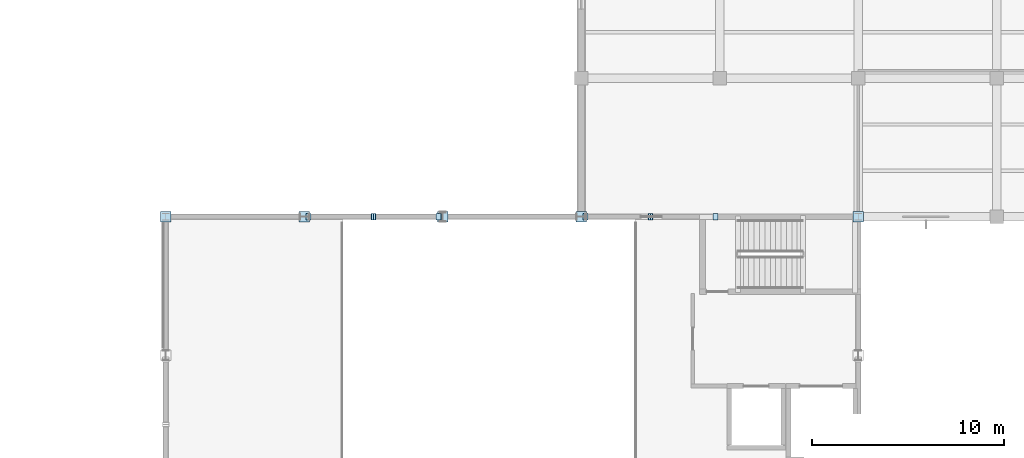
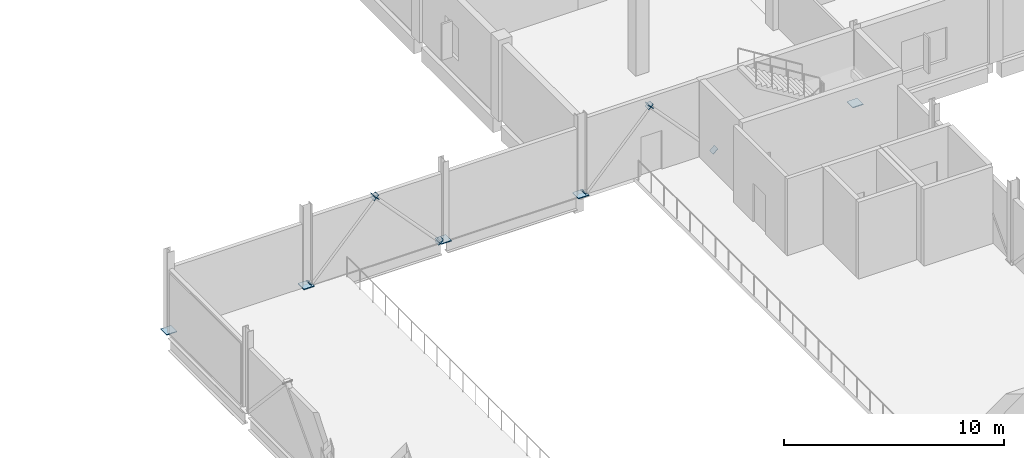
# One storey, part 87 of 108: 13 plates.
"""IFC4 building model written with IfcOpenShell, lengths in metres."""

from ifc_helpers import new_model, si_unit, direction, frame, origin, origin_2d, place, context, subcontext, project, spatial, rectangle, extrude, material, layer, layer_set, type_object, element, save


model = new_model("IFC4")

# Units and contexts
model_context = context("Model", 3, precision=1e-05, world=origin(), true_north=direction((0.0, 1.0)))
body_context = subcontext(model_context, "Body", "Model", "MODEL_VIEW")
ifc_project = project(units=[si_unit("LENGTHUNIT", "METRE"), si_unit("AREAUNIT", "SQUARE_METRE"), si_unit("VOLUMEUNIT", "CUBIC_METRE"), si_unit("PLANEANGLEUNIT", "RADIAN"), si_unit("MASSUNIT", "GRAM", prefix="KILO"), si_unit("THERMODYNAMICTEMPERATUREUNIT", "KELVIN"), si_unit("POWERUNIT", "WATT")], contexts=[model_context])

# Site, building, storey
site_placement = place(None, origin())
site = spatial("IfcSite", under=ifc_project, at=site_placement, CompositionType="ELEMENT")
building_placement = place(site_placement, origin())
building = spatial("IfcBuilding", under=site, at=building_placement, Name="Kaldorven Railside Theatre", CompositionType="ELEMENT")
storey_placement = place(building_placement, frame((0.0, 0.0, 5.39990234375)))
storey = spatial("IfcBuildingStorey", under=building, at=storey_placement, Name="L01", CompositionType="ELEMENT", Elevation=5.39990234375)

# Plates
ifc_material = material(Name="Steel S355", Category="steel")
ifc_layer_1 = layer(ifc_material, 0.044921875, Name="Steel S355")
ifc_layer_set_1 = layer_set([ifc_layer_1], Name="Steel S355")
plate_type_1 = type_object("IfcPlateType", Name="PLT-BAS-45", PredefinedType="SHEET", material=ifc_layer_set_1)
for number, where, z_axis, x_axis, name in (
    (1, (87.199951171875, 112.800048828125, 0.000244140625), (0.0, 0.0, 1.0), (1.0, 0.0, 0.0), "Fly-Tower Stanchion Baseplate BPL-13"),
    (2, (94.39990234375, 112.800048828125, 0.000244140625), (0.0, 0.0, 1.0), (1.0, 0.0, 0.0), "Fly-Tower Stanchion Baseplate BPL-14"),
    (3, (101.60009765625, 112.800048828125, 0.000244140625), (0.0, 0.0, 1.0), (1.0, 0.0, 0.0), "Fly-Tower Stanchion Baseplate BPL-15"),
    (4, (108.800048828125, 112.800048828125, 0.000244140625), (0.0, 0.0, 1.0), (1.0, 0.0, 0.0), "Fly-Tower Stanchion Baseplate BPL-16"),
    (5, (123.199951171875, 112.800048828125, 0.000244140625), (0.0, 0.0, 1.0), (1.0, 0.0, 0.0), "Fly-Tower Stanchion Baseplate BPL-17"),
):
    element("IfcPlate", number, at=place(storey_placement, frame(where, z_axis=z_axis, x_axis=x_axis)), inside=storey, type_object=plate_type_1, Name=name, PredefinedType="SHEET", context=body_context, shape_type="SweptSolid", body=[
        extrude(rectangle(XDim=0.550048828125, YDim=0.550048828125, at=origin_2d()), origin(), (0.0, 0.0, 1.0), 0.044921875),
    ])
ifc_layer_2 = layer(ifc_material, 0.02001953125, Name="Steel S355")
ifc_layer_set_2 = layer_set([ifc_layer_2], Name="Steel S355")
plate_type_2 = type_object("IfcPlateType", Name="PLT-GUS-20", PredefinedType="USERDEFINED", material=ifc_layer_set_2)
for number, where, z_axis, x_axis, name in (
    (6, (94.607666015625, 112.800048828125, 0.02685546875), (0.680465121782, 0.0, 0.732780470562), (0.0, 1.0, 0.0), "End cap gusset plate PL-0017"),
    (7, (97.99853515625, 112.800048828125, 3.6787109375), (0.680465121782, 0.0, 0.732780470562), (0.0, 1.0, 0.0), "End cap gusset plate PL-0018"),
    (8, (101.392333984375, 112.800048828125, 0.02685546875), (-0.680465121782, 0.0, 0.732780470562), (0.0, -1.0, 0.0), "End cap gusset plate PL-0019"),
    (9, (98.00146484375, 112.800048828125, 3.6787109375), (-0.680465121782, 0.0, 0.732780470562), (0.0, -1.0, 0.0), "End cap gusset plate PL-0020"),
    (10, (109.0078125, 112.800048828125, 0.02685546875), (0.680465121782, 0.0, 0.732780470562), (0.0, 1.0, 0.0), "End cap gusset plate PL-0021"),
    (11, (112.398681640625, 112.800048828125, 3.6787109375), (0.680465121782, 0.0, 0.732780470562), (0.0, 1.0, 0.0), "End cap gusset plate PL-0022"),
    (12, (115.792236328125, 112.800048828125, 0.02685546875), (-0.680465121782, 0.0, 0.732780470562), (0.0, -1.0, 0.0), "End cap gusset plate PL-0023"),
    (13, (112.4013671875, 112.800048828125, 3.6787109375), (-0.680465121782, 0.0, 0.732780470562), (0.0, -1.0, 0.0), "End cap gusset plate PL-0024"),
):
    element("IfcPlate", number, at=place(storey_placement, frame(where, z_axis=z_axis, x_axis=x_axis)), inside=storey, type_object=plate_type_2, Name=name, ObjectType="GUSSET PLATE", PredefinedType="USERDEFINED", context=body_context, shape_type="SweptSolid", body=[
        extrude(rectangle(XDim=0.3330078125, YDim=0.3330078125, at=origin_2d()), origin(), (0.0, 0.0, 1.0), 0.02001953125),
    ])

save(model, "model.ifc")
